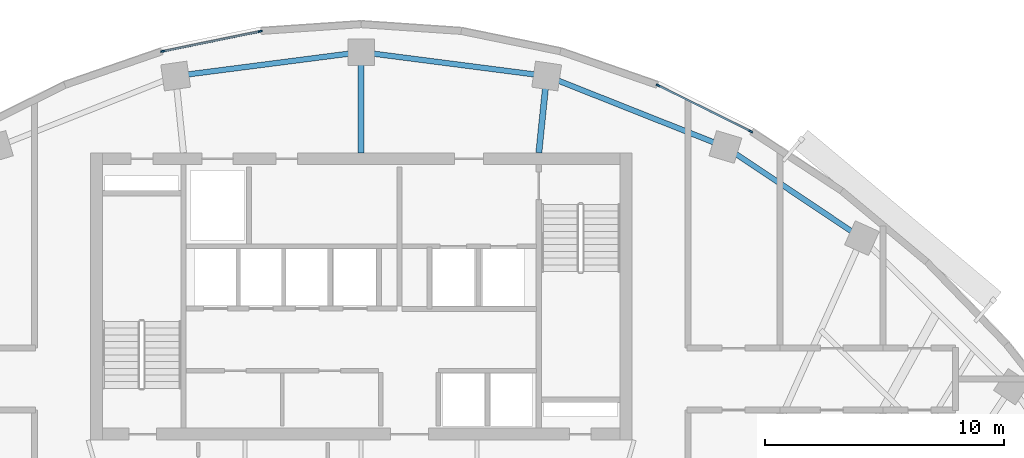
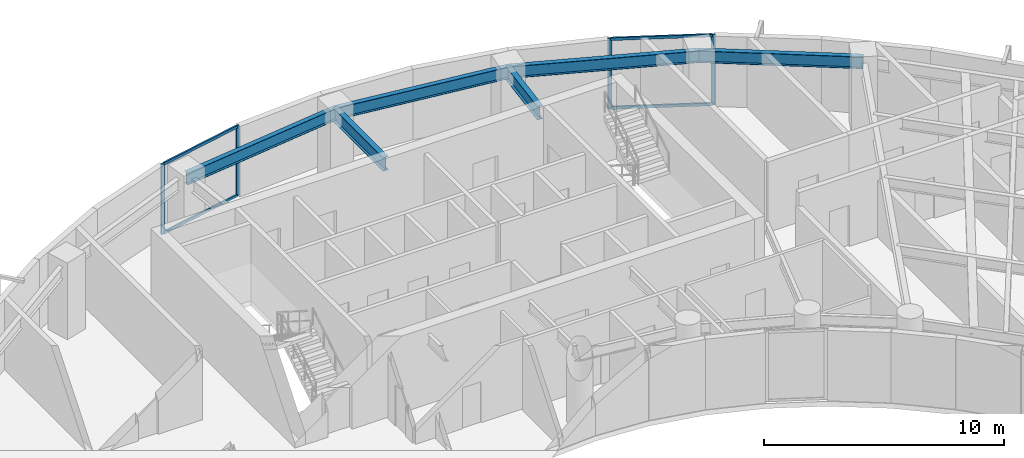
# One storey, part 5 of 13: 8 members, 6 beams, 2 elements without a shape of their own.
"""IFC4 building model written with IfcOpenShell, lengths in metres."""

from ifc_helpers import new_model, si_unit, direction, frame, origin, origin_2d, place, context, subcontext, project, spatial, rectangle, i_section, extrude, source, transform, mapped, material, layer, layer_set, material_profile, profile_set, type_object, element, aggregate, save


model = new_model("IFC4")

# Units and contexts
model_context = context("Model", 3, precision=1e-05, world=origin(), true_north=direction((0.0, 1.0)))
body_context = subcontext(model_context, "Body", "Model", "MODEL_VIEW")
ifc_project = project(units=[si_unit("LENGTHUNIT", "METRE"), si_unit("AREAUNIT", "SQUARE_METRE"), si_unit("VOLUMEUNIT", "CUBIC_METRE"), si_unit("PLANEANGLEUNIT", "RADIAN"), si_unit("MASSUNIT", "GRAM", prefix="KILO")], contexts=[model_context])

# Site, building, storey
site_placement = place(None, origin())
site = spatial("IfcSite", under=ifc_project, at=site_placement, CompositionType="ELEMENT")
building_placement = place(site_placement, origin())
building = spatial("IfcBuilding", under=site, at=building_placement, Name="Breltana Convention Tower", CompositionType="ELEMENT")
storey_placement = place(building_placement, frame((0.0, 0.0, 185.699951171875)))
storey = spatial("IfcBuildingStorey", under=building, at=storey_placement, Name="L45", CompositionType="ELEMENT", Elevation=185.699951171875)

# Beams
ifc_material_1 = material(Name="Steel ASTM A992 Grade 50", Category="steel")
ifc_material_profile_1 = material_profile(ifc_material_1, i_section(OverallWidth=0.25390625, OverallDepth=0.68798828125, WebThickness=0.01318359375, FlangeThickness=0.02099609375, at=origin_2d()), Name="W27X102")
ifc_profile_set_1 = profile_set([ifc_material_profile_1], Name="Steel ASTM A992 Grade 50")
beam_type_1 = type_object("IfcBeamType", Name="BM-RG-W27X102", PredefinedType="USERDEFINED", material=ifc_profile_set_1)
shared_shape_1 = source(origin(), body_context, "Body", "SweptSolid", [
    extrude(i_section(OverallWidth=0.25390625, OverallDepth=0.68798828125, WebThickness=0.01318359375, FlangeThickness=0.02099609375, at=origin_2d()), origin(), (0.0, 0.0, 1.0), 3.220947265625),
])
beam_1_placement = place(storey_placement, frame((55.419921875, 72.199951171875, 3.236083984375), z_axis=(0.101492254858, 0.994836329355, 0.0), x_axis=(-0.994836329355, 0.101492254858, 0.0)))
element("IfcBeam", 1, at=beam_1_placement, inside=storey, type_object=beam_type_1, Name="L45 North Core Radial Girder R07", ObjectType="GIRDER", PredefinedType="USERDEFINED", context=body_context, shape_type="MappedRepresentation", body=[
    mapped(shared_shape_1, transform((0.0, 0.0, 0.0), scale=1.0)),
])
shared_shape_2 = source(origin(), body_context, "Body", "SweptSolid", [
    extrude(i_section(OverallWidth=0.25390625, OverallDepth=0.68798828125, WebThickness=0.01318359375, FlangeThickness=0.02099609375, at=origin_2d()), origin(), (0.0, 0.0, 1.0), 4.2041015625),
])
beam_2_placement = place(storey_placement, frame((48.0, 72.199951171875, 3.236083984375), z_axis=(0.0, 1.0, 0.0), x_axis=(-1.0, 0.0, 0.0)))
element("IfcBeam", 2, at=beam_2_placement, inside=storey, type_object=beam_type_1, Name="L45 North Core Radial Girder R06", ObjectType="GIRDER", PredefinedType="USERDEFINED", context=body_context, shape_type="MappedRepresentation", body=[
    mapped(shared_shape_2, transform((0.0, 0.0, 0.0), scale=1.0)),
])
ifc_material_profile_2 = material_profile(ifc_material_1, i_section(OverallWidth=0.22802734375, OverallDepth=0.60791015625, WebThickness=0.01123046875, FlangeThickness=0.017333984375, at=origin_2d()), Name="W24X76")
ifc_profile_set_2 = profile_set([ifc_material_profile_2], Name="Steel ASTM A992 Grade 50")
beam_type_2 = type_object("IfcBeamType", Name="BM-SP-W24X76", PredefinedType="SPANDREL", material=ifc_profile_set_2)
shared_shape_3 = source(origin(), body_context, "Body", "SweptSolid", [
    extrude(i_section(OverallWidth=0.22802734375, OverallDepth=0.60791015625, WebThickness=0.01123046875, FlangeThickness=0.017333984375, at=origin_2d()), origin(), (0.0, 0.0, 1.0), 8.028564453125),
])
beam_3_placement = place(storey_placement, frame((55.746826171875, 75.404296875, 3.276123046875), z_axis=(0.929459100394, -0.368925169507, 0.0), x_axis=(0.368925169507, 0.929459100394, 0.0)))
element("IfcBeam", 3, at=beam_3_placement, inside=storey, type_object=beam_type_2, Name="L45 Outer Spandrel Beam 07", PredefinedType="SPANDREL", context=body_context, shape_type="MappedRepresentation", body=[
    mapped(shared_shape_3, transform((0.0, 0.0, 0.0), scale=1.0)),
])
shared_shape_4 = source(origin(), body_context, "Body", "SweptSolid", [
    extrude(i_section(OverallWidth=0.22802734375, OverallDepth=0.60791015625, WebThickness=0.01123046875, FlangeThickness=0.017333984375, at=origin_2d()), origin(), (0.0, 0.0, 1.0), 7.81103515625),
])
for number, where, z_axis, x_axis, name in (
    (4, (40.253173828125, 75.404296875, 3.276123046875), (0.991775179127, 0.127992164083, 0.0), (-0.127992164083, 0.991775179127, 0.0), "L45 Outer Spandrel Beam 05"),
    (5, (48.0, 76.404052734375, 3.276123046875), (0.991775179127, -0.127992164083, 0.0), (0.127992164083, 0.991775179127, 0.0), "L45 Outer Spandrel Beam 06"),
):
    element("IfcBeam", number, at=place(storey_placement, frame(where, z_axis=z_axis, x_axis=x_axis)), inside=storey, type_object=beam_type_2, Name=name, PredefinedType="SPANDREL", context=body_context, shape_type="MappedRepresentation", body=[
        mapped(shared_shape_4, transform((0.0, 0.0, 0.0), scale=1.0)),
    ])
shared_shape_5 = source(origin(), body_context, "Body", "SweptSolid", [
    extrude(i_section(OverallWidth=0.22802734375, OverallDepth=0.60791015625, WebThickness=0.01123046875, FlangeThickness=0.017333984375, at=origin_2d()), origin(), (0.0, 0.0, 1.0), 6.856689453125),
])
beam_4_placement = place(storey_placement, frame((63.208984375, 72.4423828125, 3.276123046875), z_axis=(0.83150210718, -0.55552159792, 0.0), x_axis=(0.55552159792, 0.83150210718, 0.0)))
element("IfcBeam", 6, at=beam_4_placement, inside=storey, type_object=beam_type_2, Name="L45 Outer Spandrel Beam 08", PredefinedType="SPANDREL", context=body_context, shape_type="MappedRepresentation", body=[
    mapped(shared_shape_5, transform((0.0, 0.0, 0.0), scale=1.0)),
])

# Curtain wall, members
ifc_material_2 = material(Name="Aluminium Anodised Bronze Frame", Category="aluminium")
ifc_layer = layer(ifc_material_2, 0.2099609375, Name="Aluminium Anodised Bronze Frame")
ifc_layer_set = layer_set([ifc_layer], Name="Aluminium Anodised Bronze Frame")
curtain_wall_type = type_object("IfcCurtainWallType", Name="CW-SYS-3", PredefinedType="NOTDEFINED", material=ifc_layer_set)
curtain_wall_1_placement = place(storey_placement, origin())
curtain_wall_1 = element("IfcCurtainWall", 7, at=curtain_wall_1_placement, inside=storey, type_object=curtain_wall_type, Name="L45 outer double-skin inner glazing 4", PredefinedType="NOTDEFINED")
ifc_material_3 = material(Name="Aluminium Anodised Bronze", Category="aluminium")
ifc_material_profile_3 = material_profile(ifc_material_3, rectangle(XDim=0.080078125, YDim=0.139892578125, at=origin_2d()), Name="CWT-80X140")
ifc_profile_set_3 = profile_set([ifc_material_profile_3], Name="Aluminium Anodised Bronze")
member_type_1 = type_object("IfcMemberType", Name="CWT-140", PredefinedType="USERDEFINED", material=ifc_profile_set_3)
shared_shape_6 = source(origin(), body_context, "Body", "SweptSolid", [
    extrude(rectangle(XDim=0.080078125, YDim=0.139892578125, at=origin_2d()), origin(), (0.0, 0.0, 1.0), 4.243896484375),
])
member_1_placement = place(storey_placement, frame((60.43310546875, 74.995849609375, 0.0400390625), z_axis=(0.895975011629, -0.444104468043, 0.0), x_axis=(0.444104468043, 0.895975011629, 0.0)))
member_1 = element("IfcMember", 8, at=member_1_placement, type_object=member_type_1, Name="CW-03 transom 1.1", ObjectType="TRANSOM", PredefinedType="USERDEFINED", context=body_context, shape_type="MappedRepresentation", body=[
    mapped(shared_shape_6, transform((0.0, 0.0, 0.0), scale=1.0)),
])
member_2_placement = place(storey_placement, frame((60.43310546875, 74.995849609375, 3.5400390625), z_axis=(0.895975011629, -0.444104468043, 0.0), x_axis=(0.444104468043, 0.895975011629, 0.0)))
member_2 = element("IfcMember", 9, at=member_2_placement, type_object=member_type_1, Name="CW-03 transom 1.2", ObjectType="TRANSOM", PredefinedType="USERDEFINED", context=body_context, shape_type="MappedRepresentation", body=[
    mapped(shared_shape_6, transform((0.0, 0.0, 0.0), scale=1.0)),
])

curtain_wall_2_placement = place(storey_placement, origin())
curtain_wall_2 = element("IfcCurtainWall", 10, at=curtain_wall_2_placement, inside=storey, type_object=curtain_wall_type, Name="L45 outer double-skin inner glazing 3", PredefinedType="NOTDEFINED")
shared_shape_7 = source(origin(), body_context, "Body", "SweptSolid", [
    extrude(rectangle(XDim=0.080078125, YDim=0.139892578125, at=origin_2d()), origin(), (0.0, 0.0, 1.0), 4.08349609375),
])
member_3_placement = place(storey_placement, frame((39.75146484375, 76.445556640625, 0.0400390625), z_axis=(0.979626533509, 0.20082792347, 0.0), x_axis=(-0.20082792347, 0.979626533509, 0.0)))
member_3 = element("IfcMember", 11, at=member_3_placement, type_object=member_type_1, Name="CW-03 transom 1.1", ObjectType="TRANSOM", PredefinedType="USERDEFINED", context=body_context, shape_type="MappedRepresentation", body=[
    mapped(shared_shape_7, transform((0.0, 0.0, 0.0), scale=1.0)),
])
member_4_placement = place(storey_placement, frame((39.75146484375, 76.445556640625, 3.5400390625), z_axis=(0.979626533509, 0.20082792347, 0.0), x_axis=(-0.20082792347, 0.979626533509, 0.0)))
member_4 = element("IfcMember", 12, at=member_4_placement, type_object=member_type_1, Name="CW-03 transom 1.2", ObjectType="TRANSOM", PredefinedType="USERDEFINED", context=body_context, shape_type="MappedRepresentation", body=[
    mapped(shared_shape_7, transform((0.0, 0.0, 0.0), scale=1.0)),
])
ifc_material_profile_4 = material_profile(ifc_material_3, rectangle(XDim=0.070068359375, YDim=0.175048828125, at=origin_2d()), Name="CWM-70X175")
ifc_profile_set_4 = profile_set([ifc_material_profile_4], Name="Aluminium Anodised Bronze")
member_type_2 = type_object("IfcMemberType", Name="CWM-175", PredefinedType="MULLION", material=ifc_profile_set_4)
shared_shape_8 = source(origin(), body_context, "Body", "SweptSolid", [
    extrude(rectangle(XDim=0.070068359375, YDim=0.175048828125, at=origin_2d()), origin(), (0.0, 0.0, 1.0), 3.580078125),
])
member_5_placement = place(storey_placement, frame((39.71728515625, 76.4384765625, 0.0), z_axis=(0.0, 0.0, 1.0), x_axis=(-0.200876562668, 0.979616560993, 0.0)))
member_5 = element("IfcMember", 13, at=member_5_placement, type_object=member_type_2, Name="CW-03 mullion 1", PredefinedType="MULLION", context=body_context, shape_type="MappedRepresentation", body=[
    mapped(shared_shape_8, transform((0.0, 0.0, 0.0), scale=1.0)),
])
member_6_placement = place(storey_placement, frame((43.7861328125, 77.272705078125, 0.0), z_axis=(0.0, 0.0, 1.0), x_axis=(-0.200876562668, 0.979616560993, 0.0)))
member_6 = element("IfcMember", 14, at=member_6_placement, type_object=member_type_2, Name="CW-03 mullion 2", PredefinedType="MULLION", context=body_context, shape_type="MappedRepresentation", body=[
    mapped(shared_shape_8, transform((0.0, 0.0, 0.0), scale=1.0)),
])
aggregate(curtain_wall_2, [member_5, member_6, member_3, member_4])

# Member
member_7_placement = place(storey_placement, frame((60.40185546875, 75.011474609375, 0.0), z_axis=(0.0, 0.0, 1.0), x_axis=(0.444117835682, 0.895968385619, 0.0)))
member_7 = element("IfcMember", 15, at=member_7_placement, type_object=member_type_2, Name="CW-03 mullion 1", PredefinedType="MULLION", context=body_context, shape_type="MappedRepresentation", body=[
    mapped(shared_shape_8, transform((0.0, 0.0, 0.0), scale=1.0)),
])

member_8_placement = place(storey_placement, frame((64.266845703125, 73.095458984375, 0.0), z_axis=(0.0, 0.0, 1.0), x_axis=(0.444117835682, 0.895968385619, 0.0)))
member_8 = element("IfcMember", 16, at=member_8_placement, type_object=member_type_2, Name="CW-03 mullion 2", PredefinedType="MULLION", context=body_context, shape_type="MappedRepresentation", body=[
    mapped(shared_shape_8, transform((0.0, 0.0, 0.0), scale=1.0)),
])

aggregate(curtain_wall_1, [member_7, member_8, member_1, member_2])

save(model, "model.ifc")
